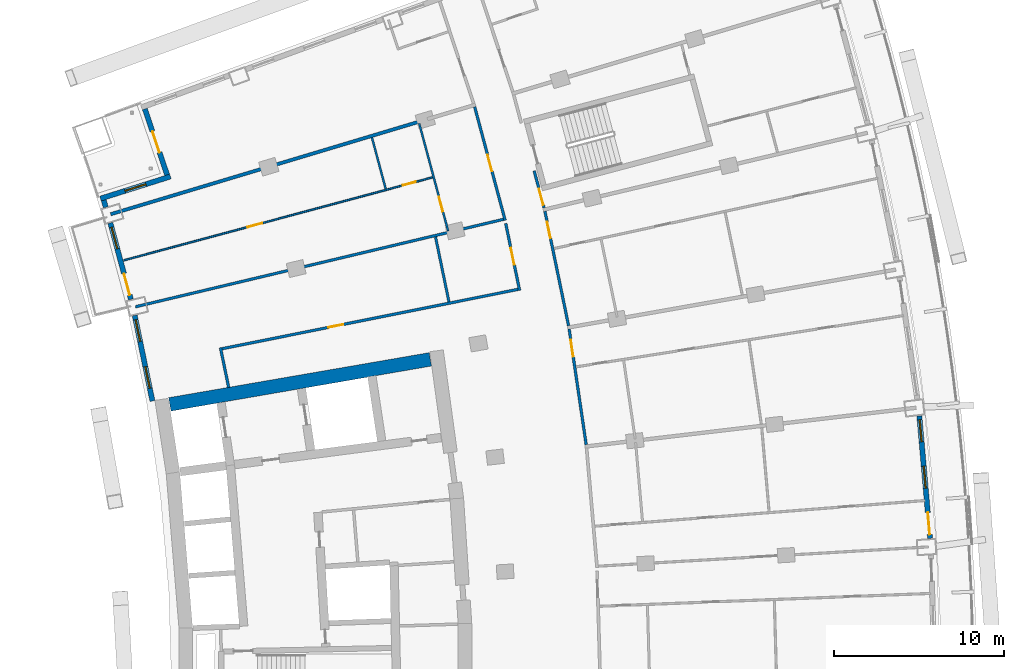
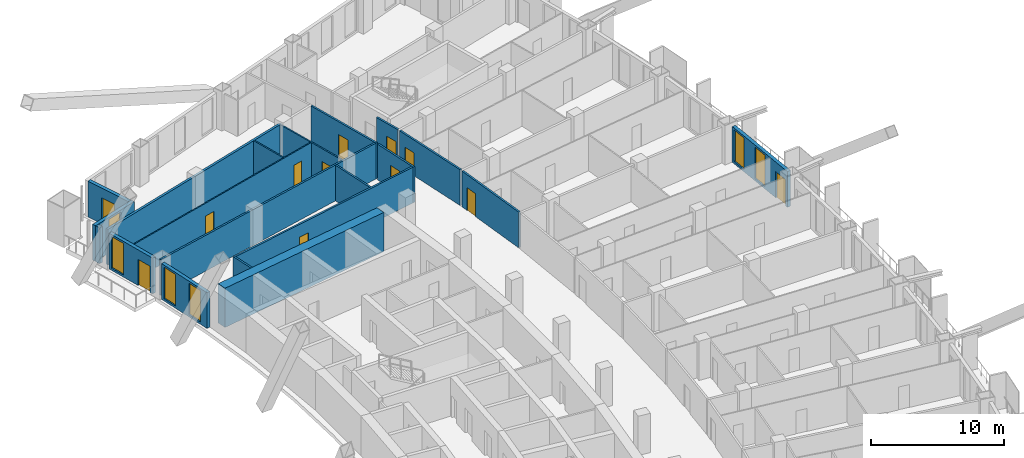
# One storey, part 19 of 25: 20 walls, 12 doors, 6 windows, 18 openings.
"""IFC4 building model written with IfcOpenShell, lengths in metres."""

import ifcopenshell
import ifcopenshell.guid

model = None  # the IFC model being written
_history = None  # IfcOwnerHistory: only IFC2X3 demands one
_inside = {}  # id of a spatial element -> (the spatial element, [elements in it])
_under = {}  # id of a project, library or spatial element -> (it, [spatial elements below it])
_declared = {}  # id of a project -> (the project, [libraries it declares])
_typed = {}  # id of a type object -> (the type object, [elements of that type])
_made_of = {}  # id of a material, layer set ... -> (it, [elements and type objects made of it])


def new_model(schema):
    """Start an empty IFC model of exactly this schema.

    Asked for "IFC4X3", IfcOpenShell would pick the latest addendum, in which some entities
    have other attributes; the version numbers below select the first issue.
    IFC2X3 requires an IfcOwnerHistory on every rooted entity: one is made here for all.
    """
    global model, _history
    if schema == "IFC4X3":
        model = ifcopenshell.file(schema_version=(4, 3, 0, 0))
    else:
        model = ifcopenshell.file(schema=schema)
    _inside.clear()
    _under.clear()
    _declared.clear()
    _typed.clear()
    _made_of.clear()
    _history = None
    if model.schema == "IFC2X3":
        org = make("IfcOrganization", Name="unknown")
        user = make(
            "IfcPersonAndOrganization",
            ThePerson=make("IfcPerson", FamilyName="unknown"),
            TheOrganization=org,
        )
        app = make(
            "IfcApplication",
            ApplicationDeveloper=org,
            Version="unknown",
            ApplicationFullName="unknown",
            ApplicationIdentifier="unknown",
        )
        _history = make(
            "IfcOwnerHistory",
            OwningUser=user,
            OwningApplication=app,
            ChangeAction="ADDED",
            CreationDate=0,
        )
    return model


def make(cls, **values):
    """One entity of the class cls with the attributes given. An attribute that is None is left unset."""
    return model.create_entity(
        cls, **{name: value for name, value in values.items() if value is not None}
    )


def rooted(cls, **values):
    """An entity with a GlobalId (a new one), such as an element, a storey or a relation."""
    return make(cls, GlobalId=ifcopenshell.guid.new(), OwnerHistory=_history, **values)


def si_unit(unit_type, name, prefix=None):
    """IfcSIUnit, for example si_unit("LENGTHUNIT", "METRE", prefix="MILLI")."""
    return make("IfcSIUnit", UnitType=unit_type, Prefix=prefix, Name=name)


def assignment(units):
    """IfcUnitAssignment: the units of a project."""
    return None if units is None else make("IfcUnitAssignment", Units=units)


def point(xyz):
    """IfcCartesianPoint."""
    return None if xyz is None else make("IfcCartesianPoint", Coordinates=xyz)


def direction(xyz):
    """IfcDirection."""
    return None if xyz is None else make("IfcDirection", DirectionRatios=xyz)


def frame(location, z_axis=None, x_axis=None):
    """IfcAxis2Placement3D, a coordinate frame: its origin and axes. An axis left out is left unset."""
    return make(
        "IfcAxis2Placement3D",
        Location=point(location),
        Axis=direction(z_axis),
        RefDirection=direction(x_axis),
    )


def frame_2d(location, x_axis=None):
    """IfcAxis2Placement2D, a coordinate frame in the plane: its origin and x axis."""
    return make(
        "IfcAxis2Placement2D", Location=point(location), RefDirection=direction(x_axis)
    )


def origin():
    """The frame at (0, 0, 0) with its axes left unset."""
    return frame((0.0, 0.0, 0.0))


def place(relative_to, where):
    """IfcLocalPlacement: puts the frame where relative to a parent placement (None: the world)."""
    return make(
        "IfcLocalPlacement", PlacementRelTo=relative_to, RelativePlacement=where
    )


def context(
    kind, dimensions, precision=None, world=None, true_north=None, identifier=None
):
    """IfcGeometricRepresentationContext, for example the 3D "Model" context."""
    return make(
        "IfcGeometricRepresentationContext",
        ContextIdentifier=identifier,
        ContextType=kind,
        CoordinateSpaceDimension=dimensions,
        Precision=precision,
        WorldCoordinateSystem=world,
        TrueNorth=true_north,
    )


def subcontext(parent, identifier, kind, view, scale=None):
    """IfcGeometricRepresentationSubContext, for example "Body" below "Model"."""
    return make(
        "IfcGeometricRepresentationSubContext",
        ContextIdentifier=identifier,
        ContextType=kind,
        ParentContext=parent,
        TargetScale=scale,
        TargetView=view,
    )


def project(units=None, contexts=None):
    """IfcProject with its units and contexts."""
    return rooted(
        "IfcProject",
        Name="project",
        RepresentationContexts=contexts,
        UnitsInContext=assignment(units),
    )


def spatial(cls, under=None, at=None, **own):
    """A site, building, storey or space (cls), placed at a placement, below another one or the project."""
    s = rooted(cls, ObjectPlacement=at, **own)
    if under is not None:
        _under.setdefault(under.id(), (under, []))[1].append(s)
    return s


def profile(cls, at=None, kind="AREA", **sizes):
    """A parametric profile (cls). Its sizes go by their IFC names, for example OverallWidth=200.0."""
    return make(cls, ProfileType=kind, Position=at, **sizes)


def rectangle(**sizes):
    """IfcRectangleProfileDef."""
    return profile("IfcRectangleProfileDef", **sizes)


def extrude(swept, where, along, depth):
    """IfcExtrudedAreaSolid: the profile swept, set in the frame where, extruded along a direction by depth."""
    return make(
        "IfcExtrudedAreaSolid",
        SweptArea=swept,
        Position=where,
        ExtrudedDirection=direction(along),
        Depth=depth,
    )


def shape(context_of_items, identifier, shape_type, items):
    """IfcShapeRepresentation: the items that make up one representation, for example the "Body"."""
    return make(
        "IfcShapeRepresentation",
        ContextOfItems=context_of_items,
        RepresentationIdentifier=identifier,
        RepresentationType=shape_type,
        Items=items,
    )


def material(Name=None, Category=None):
    """IfcMaterial."""
    return make("IfcMaterial", Name=Name, Category=Category)


def layer(
    of_material, thickness, ventilated=None, Name=None, Category=None, Priority=None
):
    """IfcMaterialLayer: one layer of a wall or slab, of a material (None: an air gap)."""
    return make(
        "IfcMaterialLayer",
        Material=of_material,
        LayerThickness=thickness,
        IsVentilated=ventilated,
        Name=Name,
        Category=Category,
        Priority=Priority,
    )


def layer_set(layers, Name=None):
    """IfcMaterialLayerSet."""
    return make("IfcMaterialLayerSet", MaterialLayers=layers, LayerSetName=Name)


def made_of(thing, what):
    """Note that an element or type object is made of a material, layer set ...; save() writes the relation."""
    if what is not None:
        _made_of.setdefault(what.id(), (what, []))[1].append(thing)
    return thing


def type_object(cls, material=None, **own):
    """A type object (cls), such as IfcWallType, which elements share."""
    return made_of(rooted(cls, **own), material)


def element(
    cls,
    number,
    at=None,
    inside=None,
    cuts=None,
    type_object=None,
    material=None,
    context=None,
    identifier="Body",
    shape_type=None,
    held_by="IfcProductDefinitionShape",
    body=None,
    shapes=None,
    **own,
):
    """One element of the class cls, such as IfcWall. Its Tag is "e" and its number.

    at: its placement. inside: the storey or other place that contains it. cuts: it is an
    opening in that element (IfcRelVoidsElement). A single representation is given by context,
    identifier, shape_type and body (its items); several are given by shapes. held_by: the class
    of the entity that holds the representations. save() writes the other relations.
    """
    e = rooted(cls, Tag="e%d" % number, ObjectPlacement=at, **own)
    if body is not None:
        shapes = [shape(context, identifier, shape_type, body)]
    if shapes is not None:
        e.Representation = make(held_by, Representations=shapes)
    if inside is not None:
        _inside.setdefault(inside.id(), (inside, []))[1].append(e)
    if cuts is not None:
        rooted(
            "IfcRelVoidsElement", RelatingBuildingElement=cuts, RelatedOpeningElement=e
        )
    if type_object is not None:
        _typed.setdefault(type_object.id(), (type_object, []))[1].append(e)
    return made_of(e, material)


def fill(opening, filler):
    """IfcRelFillsElement: the door or window that sits in an opening."""
    return rooted(
        "IfcRelFillsElement",
        RelatingOpeningElement=opening,
        RelatedBuildingElement=filler,
    )


def aggregate(whole, parts):
    """IfcRelAggregates: a whole, such as a stair, and the parts it consists of."""
    return rooted("IfcRelAggregates", RelatingObject=whole, RelatedObjects=parts)


def save(model, path):
    """Write the relations noted so far, then the file.

    IfcRelAggregates (storeys below a building ...), IfcRelContainedInSpatialStructure (elements
    in a storey), IfcRelDefinesByType, IfcRelAssociatesMaterial and IfcRelDeclares: one each for
    every whole, place, type object, material and project.
    """
    for whole, parts in _under.values():
        aggregate(whole, parts)
    for where, things in _inside.values():
        rooted(
            "IfcRelContainedInSpatialStructure",
            RelatedElements=things,
            RelatingStructure=where,
        )
    for kind, things in _typed.values():
        rooted("IfcRelDefinesByType", RelatedObjects=things, RelatingType=kind)
    for what, things in _made_of.values():
        rooted("IfcRelAssociatesMaterial", RelatedObjects=things, RelatingMaterial=what)
    for by, libraries in _declared.values():
        rooted("IfcRelDeclares", RelatingContext=by, RelatedDefinitions=libraries)
    model.write(path)


model = new_model("IFC4")

# Units and contexts
model_context = context("Model", 3, precision=1e-05, world=origin(), true_north=direction((0.0, 1.0)))
body_context = subcontext(model_context, "Body", "Model", "MODEL_VIEW")
ifc_project = project(units=[si_unit("LENGTHUNIT", "METRE"), si_unit("AREAUNIT", "SQUARE_METRE"), si_unit("VOLUMEUNIT", "CUBIC_METRE"), si_unit("PLANEANGLEUNIT", "RADIAN"), si_unit("MASSUNIT", "GRAM", prefix="KILO")], contexts=[model_context])

# Site, building, storey
site_placement = place(None, origin())
site = spatial("IfcSite", under=ifc_project, at=site_placement, CompositionType="ELEMENT")
building_placement = place(site_placement, origin())
building = spatial("IfcBuilding", under=site, at=building_placement, Name="Alderwake Tower", CompositionType="ELEMENT")
storey_placement = place(building_placement, frame((0.0, 0.0, 114.800048828125)))
storey = spatial("IfcBuildingStorey", under=building, at=storey_placement, Name="L28", CompositionType="ELEMENT", Elevation=114.800048828125)

# Walls
ifc_material_1 = material(Name="Concrete C70/85", Category="concrete")
ifc_layer_1 = layer(ifc_material_1, 0.800048828125)
ifc_layer_set_1 = layer_set([ifc_layer_1], Name="Core wall outer 800 C70-85")
wall_type_1 = type_object("IfcWallType", Name="Core wall outer 800 C70-85", PredefinedType="SHEAR", material=ifc_layer_set_1)
wall_1_placement = place(storey_placement, frame((15.900146484375, 77.577880859375, 0.0), z_axis=(0.0, 0.0, 1.0), x_axis=(0.985386601125, 0.170332751763, 0.0)))
element("IfcWall", 1, at=wall_1_placement, inside=storey, type_object=wall_type_1, Name="Core wall CW.054", PredefinedType="SHEAR", context=body_context, shape_type="SweptSolid", body=[
    extrude(rectangle(XDim=15.531494140625, YDim=0.800048828125, at=frame_2d((7.765625, 0.0))), origin(), (0.0, 0.0, 1.0), 3.599853515625),
])
ifc_material_2 = material(Name="Gypsum board on metal studs, rated")
ifc_layer_2 = layer(ifc_material_2, 0.159912109375)
ifc_layer_set_2 = layer_set([ifc_layer_2], Name="Corridor wall 160")
wall_type_2 = type_object("IfcWallType", Name="Corridor wall 160", PredefinedType="PARTITIONING", material=ifc_layer_set_2)
wall_2_placement = place(storey_placement, frame((18.874755859375, 80.910400390625, 0.0), z_axis=(0.0, 0.0, 1.0), x_axis=(0.202312089075, -0.979321100873, 0.0)))
element("IfcWall", 2, at=wall_2_placement, inside=storey, type_object=wall_type_2, Name="WL/L28/W18", PredefinedType="PARTITIONING", context=body_context, shape_type="SweptSolid", body=[
    extrude(rectangle(XDim=2.39306640625, YDim=0.159912109375, at=frame_2d((1.196533203125, 0.0))), origin(), (0.0, 0.0, 1.0), 3.280029296875),
])

# Wall, opening, door
wall_3_placement = place(storey_placement, frame((35.600830078125, 88.392578125, 0.0), z_axis=(0.0, 0.0, 1.0), x_axis=(-0.2593979597, 0.965770520622, 0.0)))
wall_3 = element("IfcWall", 3, at=wall_3_placement, inside=storey, type_object=wall_type_2, Name="WL/L28/W22", PredefinedType="PARTITIONING", context=body_context, shape_type="SweptSolid", body=[
    extrude(rectangle(XDim=6.9072265625, YDim=0.159912109375, at=frame_2d((3.45361328125, 0.0))), origin(), (0.0, 0.0, 1.0), 3.280029296875),
])
opening_1_placement = place(wall_3_placement, frame((2.9931640625, 0.0, 0.0)))
opening_1 = element("IfcOpeningElement", 4, at=opening_1_placement, cuts=wall_3, Name="Opening R08-U13.1", PredefinedType="OPENING", context=body_context, shape_type="SweptSolid", body=[
    extrude(rectangle(XDim=1.0, YDim=2.10009765625, at=frame_2d((0.5, 1.050048828125))), frame((0.0, 0.08984375, 0.0), z_axis=(0.0, -1.0, 0.0), x_axis=(1.0, 0.0, 0.0)), (0.0, 0.0, 1.0), 0.179931640625),
])
ifc_material_3 = material(Name="Solid timber leaf in steel frame", Category="steel")
door_type_1 = type_object("IfcDoorType", Name="Flat entrance door 1000 fire-rated", OperationType="SINGLE_SWING_LEFT", PredefinedType="DOOR", material=ifc_material_3)
door_1_placement = place(opening_1_placement, origin())
door_1 = element("IfcDoor", 5, at=door_1_placement, inside=storey, type_object=door_type_1, Name="DR/L28/U13.1", OperationType="SINGLE_SWING_LEFT", OverallHeight=2.10009765625, OverallWidth=1.0, PredefinedType="DOOR", context=body_context, shape_type="SweptSolid", body=[
    extrude(rectangle(XDim=1.0, YDim=2.10009765625, at=frame_2d((0.5, 1.050048828125))), frame((0.0, 0.02490234375, 0.0), z_axis=(0.0, -1.0, 0.0), x_axis=(1.0, 0.0, 0.0)), (0.0, 0.0, 1.0), 0.050048828125),
])
fill(opening_1, door_1)

# Wall
wall_4_placement = place(storey_placement, frame((35.502197265625, 88.451416015625, 0.0), z_axis=(0.0, 0.0, 1.0), x_axis=(-0.972894913244, -0.231247676278, 0.0)))
element("IfcWall", 6, at=wall_4_placement, inside=storey, type_object=wall_type_2, Name="WL/L28/W25", PredefinedType="PARTITIONING", context=body_context, shape_type="SweptSolid", body=[
    extrude(rectangle(XDim=22.220458984375, YDim=0.159912109375, at=frame_2d((11.1103515625, 0.0))), origin(), (0.0, 0.0, 1.0), 3.280029296875),
])

# Wall, opening, door
wall_5_placement = place(storey_placement, frame((36.451416015625, 84.272705078125, 0.0), z_axis=(0.0, 0.0, 1.0), x_axis=(-0.203258199701, 0.979125172924, 0.0)))
wall_5 = element("IfcWall", 7, at=wall_5_placement, inside=storey, type_object=wall_type_2, Name="WL/L28/W26", PredefinedType="PARTITIONING", context=body_context, shape_type="SweptSolid", body=[
    extrude(rectangle(XDim=4.020263671875, YDim=0.159912109375, at=frame_2d((2.01025390625, 0.0))), origin(), (0.0, 0.0, 1.0), 3.280029296875),
])
opening_2_placement = place(wall_5_placement, frame((1.549560546875, 0.0, 0.0)))
opening_2 = element("IfcOpeningElement", 8, at=opening_2_placement, cuts=wall_5, Name="Opening R08-SBN2", PredefinedType="OPENING", context=body_context, shape_type="SweptSolid", body=[
    extrude(rectangle(XDim=1.0, YDim=2.10009765625, at=frame_2d((0.5, 1.050048828125))), frame((0.0, 0.08984375, 0.0), z_axis=(0.0, -1.0, 0.0), x_axis=(1.0, 0.0, 0.0)), (0.0, 0.0, 1.0), 0.179931640625),
])
ifc_material_4 = material(Name="Steel-framed fire door leaf", Category="steel")
door_type_2 = type_object("IfcDoorType", Name="Plant room door 1000 fire-rated", OperationType="SINGLE_SWING_LEFT", PredefinedType="DOOR", material=ifc_material_4)
door_2_placement = place(opening_2_placement, origin())
door_2 = element("IfcDoor", 9, at=door_2_placement, inside=storey, type_object=door_type_2, Name="DR/L28/SBN2", OperationType="SINGLE_SWING_LEFT", OverallHeight=2.10009765625, OverallWidth=1.0, PredefinedType="DOOR", context=body_context, shape_type="SweptSolid", body=[
    extrude(rectangle(XDim=1.0, YDim=2.10009765625, at=frame_2d((0.5, 1.050048828125))), frame((0.0, 0.02490234375, 0.0), z_axis=(0.0, -1.0, 0.0), x_axis=(1.0, 0.0, 0.0)), (0.0, 0.0, 1.0), 0.050048828125),
])
fill(opening_2, door_2)

wall_6_placement = place(storey_placement, frame((18.969482421875, 80.84765625, 0.0), z_axis=(0.0, 0.0, 1.0), x_axis=(0.980470914622, 0.196664144112, 0.0)))
wall_6 = element("IfcWall", 10, at=wall_6_placement, inside=storey, type_object=wall_type_2, Name="WL/L28/W30", PredefinedType="PARTITIONING", context=body_context, shape_type="SweptSolid", body=[
    extrude(rectangle(XDim=17.733642578125, YDim=0.159912109375, at=frame_2d((8.86669921875, 0.0))), origin(), (0.0, 0.0, 1.0), 3.280029296875),
])
opening_3_placement = place(wall_6_placement, frame((6.35693359375, 0.0, 0.0)))
opening_3 = element("IfcOpeningElement", 11, at=opening_3_placement, cuts=wall_6, Name="Opening R08-SBN1", PredefinedType="OPENING", context=body_context, shape_type="SweptSolid", body=[
    extrude(rectangle(XDim=0.89990234375, YDim=2.10009765625, at=frame_2d((0.449951171875, 1.050048828125))), frame((0.0, 0.08984375, 0.0), z_axis=(0.0, -1.0, 0.0), x_axis=(1.0, 0.0, 0.0)), (0.0, 0.0, 1.0), 0.179931640625),
])
ifc_material_5 = material(Name="Painted timber leaf", Category="wood")
door_type_3 = type_object("IfcDoorType", Name="Room door 900", OperationType="SINGLE_SWING_LEFT", PredefinedType="DOOR", material=ifc_material_5)
door_3_placement = place(opening_3_placement, origin())
door_3 = element("IfcDoor", 12, at=door_3_placement, inside=storey, type_object=door_type_3, Name="DR/L28/SBN1", OperationType="SINGLE_SWING_LEFT", OverallHeight=2.10009765625, OverallWidth=0.89990234375, PredefinedType="DOOR", context=body_context, shape_type="SweptSolid", body=[
    extrude(rectangle(XDim=0.89990234375, YDim=2.10009765625, at=frame_2d((0.449951171875, 1.050048828125))), frame((0.0, 0.02490234375, 0.0), z_axis=(0.0, -1.0, 0.0), x_axis=(1.0, 0.0, 0.0)), (0.0, 0.0, 1.0), 0.050048828125),
])
fill(opening_3, door_3)

wall_7_placement = place(storey_placement, frame((37.304931640625, 91.299072265625, 0.0), z_axis=(0.0, 0.0, 1.0), x_axis=(0.259946294884, -0.965623075416, 0.0)))
wall_7 = element("IfcWall", 13, at=wall_7_placement, inside=storey, type_object=wall_type_2, Name="WL/L28/W34", PredefinedType="PARTITIONING", context=body_context, shape_type="SweptSolid", body=[
    extrude(rectangle(XDim=2.255126953125, YDim=0.159912109375, at=frame_2d((1.12744140625, 0.0))), origin(), (0.0, 0.0, 1.0), 3.280029296875),
])
opening_4_placement = place(wall_7_placement, frame((1.083984375, 0.0, 0.0)))
opening_4 = element("IfcOpeningElement", 14, at=opening_4_placement, cuts=wall_7, Name="Opening R08-U02.1", PredefinedType="OPENING", context=body_context, shape_type="SweptSolid", body=[
    extrude(rectangle(XDim=1.0, YDim=2.10009765625, at=frame_2d((0.5, 1.050048828125))), frame((0.0, 0.08984375, 0.0), z_axis=(0.0, -1.0, 0.0), x_axis=(1.0, 0.0, 0.0)), (0.0, 0.0, 1.0), 0.179931640625),
])
door_4_placement = place(opening_4_placement, origin())
door_4 = element("IfcDoor", 15, at=door_4_placement, inside=storey, type_object=door_type_1, Name="DR/L28/U02.1", OperationType="SINGLE_SWING_LEFT", OverallHeight=2.10009765625, OverallWidth=1.0, PredefinedType="DOOR", context=body_context, shape_type="SweptSolid", body=[
    extrude(rectangle(XDim=1.0, YDim=2.10009765625, at=frame_2d((0.5, 1.050048828125))), frame((0.0, 0.02490234375, 0.0), z_axis=(0.0, -1.0, 0.0), x_axis=(1.0, 0.0, 0.0)), (0.0, 0.0, 1.0), 0.050048828125),
])
fill(opening_4, door_4)

wall_8_placement = place(storey_placement, frame((37.937255859375, 88.927001953125, 0.0), z_axis=(0.0, 0.0, 1.0), x_axis=(0.20241288737, -0.979300272147, 0.0)))
wall_8 = element("IfcWall", 16, at=wall_8_placement, inside=storey, type_object=wall_type_2, Name="WL/L28/W36", PredefinedType="PARTITIONING", context=body_context, shape_type="SweptSolid", body=[
    extrude(rectangle(XDim=6.870361328125, YDim=0.159912109375, at=frame_2d((3.43505859375, 0.0))), origin(), (0.0, 0.0, 1.0), 3.280029296875),
])
opening_5_placement = place(wall_8_placement, frame((0.62841796875, 0.0, 0.0)))
opening_5 = element("IfcOpeningElement", 17, at=opening_5_placement, cuts=wall_8, Name="Opening R08-U10.2", PredefinedType="OPENING", context=body_context, shape_type="SweptSolid", body=[
    extrude(rectangle(XDim=1.0, YDim=2.10009765625, at=frame_2d((0.5, 1.050048828125))), frame((0.0, 0.08984375, 0.0), z_axis=(0.0, -1.0, 0.0), x_axis=(1.0, 0.0, 0.0)), (0.0, 0.0, 1.0), 0.179931640625),
])
door_5_placement = place(opening_5_placement, origin())
door_5 = element("IfcDoor", 18, at=door_5_placement, inside=storey, type_object=door_type_1, Name="DR/L28/U10.2", OperationType="SINGLE_SWING_LEFT", OverallHeight=2.10009765625, OverallWidth=1.0, PredefinedType="DOOR", context=body_context, shape_type="SweptSolid", body=[
    extrude(rectangle(XDim=1.0, YDim=2.10009765625, at=frame_2d((0.5, 1.050048828125))), frame((0.0, 0.02490234375, 0.0), z_axis=(0.0, -1.0, 0.0), x_axis=(1.0, 0.0, 0.0)), (0.0, 0.0, 1.0), 0.050048828125),
])
fill(opening_5, door_5)

wall_9_placement = place(storey_placement, frame((39.362548828125, 82.001953125, 0.0), z_axis=(0.0, 0.0, 1.0), x_axis=(0.145565626222, -0.98934859805, 0.0)))
wall_9 = element("IfcWall", 19, at=wall_9_placement, inside=storey, type_object=wall_type_2, Name="WL/L28/W38", PredefinedType="PARTITIONING", context=body_context, shape_type="SweptSolid", body=[
    extrude(rectangle(XDim=6.8681640625, YDim=0.159912109375, at=frame_2d((3.43408203125, 0.0))), origin(), (0.0, 0.0, 1.0), 3.280029296875),
])
opening_6_placement = place(wall_9_placement, frame((0.627685546875, 0.0, 0.0)))
opening_6 = element("IfcOpeningElement", 20, at=opening_6_placement, cuts=wall_9, Name="Opening R08-U09.2", PredefinedType="OPENING", context=body_context, shape_type="SweptSolid", body=[
    extrude(rectangle(XDim=1.0, YDim=2.10009765625, at=frame_2d((0.5, 1.050048828125))), frame((0.0, 0.08984375, 0.0), z_axis=(0.0, -1.0, 0.0), x_axis=(1.0, 0.0, 0.0)), (0.0, 0.0, 1.0), 0.179931640625),
])
door_6_placement = place(opening_6_placement, origin())
door_6 = element("IfcDoor", 21, at=door_6_placement, inside=storey, type_object=door_type_1, Name="DR/L28/U09.2", OperationType="SINGLE_SWING_LEFT", OverallHeight=2.10009765625, OverallWidth=1.0, PredefinedType="DOOR", context=body_context, shape_type="SweptSolid", body=[
    extrude(rectangle(XDim=1.0, YDim=2.10009765625, at=frame_2d((0.5, 1.050048828125))), frame((0.0, 0.02490234375, 0.0), z_axis=(0.0, -1.0, 0.0), x_axis=(1.0, 0.0, 0.0)), (0.0, 0.0, 1.0), 0.050048828125),
])
fill(opening_6, door_6)

# Wall, openings, door, windows
ifc_material_6 = material(Name="Precast concrete C50/60 spandrel panel", Category="concrete")
ifc_layer_3 = layer(ifc_material_6, 0.300048828125)
ifc_layer_set_3 = layer_set([ifc_layer_3], Name="External wall EW1 Precast concrete C50/60 spandrel")
wall_type_3 = type_object("IfcWallType", Name="External wall EW1 Precast concrete C50/60 spandrel", PredefinedType="SOLIDWALL", material=ifc_layer_set_3)
wall_10_placement = place(storey_placement, frame((60.56689453125, 69.70849609375, 0.0), z_axis=(0.0, 0.0, 1.0), x_axis=(-0.087409071473, 0.996172502243, 0.0)))
wall_10 = element("IfcWall", 22, at=wall_10_placement, inside=storey, type_object=wall_type_3, Name="External wall 18", PredefinedType="SOLIDWALL", context=body_context, shape_type="SweptSolid", body=[
    extrude(rectangle(XDim=7.21728515625, YDim=0.300048828125, at=frame_2d((3.608642578125, 0.0))), origin(), (0.0, 0.0, 1.0), 3.280029296875),
])
opening_7_placement = place(wall_10_placement, frame((0.22509765625, 0.0, 0.0)))
opening_7 = element("IfcOpeningElement", 23, at=opening_7_placement, cuts=wall_10, Name="Opening D09", PredefinedType="OPENING", context=body_context, shape_type="SweptSolid", body=[
    extrude(rectangle(XDim=1.300048828125, YDim=2.39990234375, at=frame_2d((0.64990234375, 1.199951171875))), frame((0.0, 0.159912109375, 0.0), z_axis=(0.0, -1.0, 0.0), x_axis=(1.0, 0.0, 0.0)), (0.0, 0.0, 1.0), 0.320068359375),
])
opening_8_placement = place(wall_10_placement, frame((2.958740234375, 0.0, 0.199951171875)))
opening_8 = element("IfcOpeningElement", 24, at=opening_8_placement, cuts=wall_10, Name="Opening W1", PredefinedType="OPENING", context=body_context, shape_type="SweptSolid", body=[
    extrude(rectangle(XDim=1.300048828125, YDim=2.89990234375, at=frame_2d((0.64990234375, 1.449951171875))), frame((0.0, 0.159912109375, 0.0), z_axis=(0.0, -1.0, 0.0), x_axis=(1.0, 0.0, 0.0)), (0.0, 0.0, 1.0), 0.320068359375),
])
opening_9_placement = place(wall_10_placement, frame((5.692138671875, 0.0, 0.199951171875)))
opening_9 = element("IfcOpeningElement", 25, at=opening_9_placement, cuts=wall_10, Name="Opening W1", PredefinedType="OPENING", context=body_context, shape_type="SweptSolid", body=[
    extrude(rectangle(XDim=1.300048828125, YDim=2.89990234375, at=frame_2d((0.64990234375, 1.449951171875))), frame((0.0, 0.159912109375, 0.0), z_axis=(0.0, -1.0, 0.0), x_axis=(1.0, 0.0, 0.0)), (0.0, 0.0, 1.0), 0.320068359375),
])
ifc_material_7 = material(Name="Bronze tinted glass in aluminium frame", Category="aluminium")
door_type_4 = type_object("IfcDoorType", Name="Balcony door BD sliding", OperationType="SLIDING_TO_LEFT", PredefinedType="DOOR", material=ifc_material_7)
door_7_placement = place(opening_7_placement, origin())
door_7 = element("IfcDoor", 26, at=door_7_placement, inside=storey, type_object=door_type_4, Name="Door D09", OperationType="SLIDING_TO_LEFT", OverallHeight=2.39990234375, OverallWidth=1.300048828125, PredefinedType="DOOR", context=body_context, shape_type="SweptSolid", body=[
    extrude(rectangle(XDim=1.300048828125, YDim=2.39990234375, at=frame_2d((0.64990234375, 1.199951171875))), frame((0.0, 0.02490234375, 0.0), z_axis=(0.0, -1.0, 0.0), x_axis=(1.0, 0.0, 0.0)), (0.0, 0.0, 1.0), 0.050048828125),
])
fill(opening_7, door_7)
ifc_material_8 = material(Name="Bronze tinted glass in aluminium frame", Category="aluminium")
window_type = type_object("IfcWindowType", Name="Window W1 tall fixed and vent", PartitioningType="DOUBLE_PANEL_VERTICAL", PredefinedType="WINDOW", material=ifc_material_8)
window_1_placement = place(opening_8_placement, origin())
window_1 = element("IfcWindow", 27, at=window_1_placement, inside=storey, type_object=window_type, Name="Window W1 tall fixed and vent", OverallHeight=2.89990234375, OverallWidth=1.300048828125, PartitioningType="DOUBLE_PANEL_VERTICAL", PredefinedType="WINDOW", context=body_context, shape_type="SweptSolid", body=[
    extrude(rectangle(XDim=1.300048828125, YDim=2.89990234375, at=frame_2d((0.64990234375, 1.449951171875))), frame((0.0, 0.030029296875, 0.0), z_axis=(0.0, -1.0, 0.0), x_axis=(1.0, 0.0, 0.0)), (0.0, 0.0, 1.0), 0.06005859375),
])
fill(opening_8, window_1)
window_2_placement = place(opening_9_placement, origin())
window_2 = element("IfcWindow", 28, at=window_2_placement, inside=storey, type_object=window_type, Name="Window W1 tall fixed and vent", OverallHeight=2.89990234375, OverallWidth=1.300048828125, PartitioningType="DOUBLE_PANEL_VERTICAL", PredefinedType="WINDOW", context=body_context, shape_type="SweptSolid", body=[
    extrude(rectangle(XDim=1.300048828125, YDim=2.89990234375, at=frame_2d((0.64990234375, 1.449951171875))), frame((0.0, 0.030029296875, 0.0), z_axis=(0.0, -1.0, 0.0), x_axis=(1.0, 0.0, 0.0)), (0.0, 0.0, 1.0), 0.06005859375),
])
fill(opening_9, window_2)

# Wall
wall_11_placement = place(storey_placement, frame((12.01416015625, 89.5703125, 0.0), z_axis=(0.0, 0.0, 1.0), x_axis=(0.294567190983, -0.955630770746, 0.0)))
element("IfcWall", 29, at=wall_11_placement, inside=storey, type_object=wall_type_3, Name="External wall 32", PredefinedType="SOLIDWALL", context=body_context, shape_type="SweptSolid", body=[
    extrude(rectangle(XDim=0.427734375, YDim=0.300048828125, at=frame_2d((0.2138671875, 0.0))), origin(), (0.0, 0.0, 1.0), 3.280029296875),
])

# Wall, openings, door, window
wall_12_placement = place(storey_placement, frame((12.406494140625, 88.237548828125, 0.0), z_axis=(0.0, 0.0, 1.0), x_axis=(0.259468933642, -0.965751454814, 0.0)))
wall_12 = element("IfcWall", 30, at=wall_12_placement, inside=storey, type_object=wall_type_3, Name="External wall 33", PredefinedType="SOLIDWALL", context=body_context, shape_type="SweptSolid", body=[
    extrude(rectangle(XDim=4.65087890625, YDim=0.300048828125, at=frame_2d((2.325439453125, 0.0))), origin(), (0.0, 0.0, 1.0), 3.280029296875),
])
opening_10_placement = place(wall_12_placement, frame((0.26708984375, 0.0, 0.199951171875)))
opening_10 = element("IfcOpeningElement", 31, at=opening_10_placement, cuts=wall_12, Name="Opening W1", PredefinedType="OPENING", context=body_context, shape_type="SweptSolid", body=[
    extrude(rectangle(XDim=1.300048828125, YDim=2.89990234375, at=frame_2d((0.64990234375, 1.449951171875))), frame((0.0, 0.159912109375, 0.0), z_axis=(0.0, -1.0, 0.0), x_axis=(1.0, 0.0, 0.0)), (0.0, 0.0, 1.0), 0.320068359375),
])
opening_11_placement = place(wall_12_placement, frame((3.083984375, 0.0, 0.0)))
opening_11 = element("IfcOpeningElement", 32, at=opening_11_placement, cuts=wall_12, Name="Opening D15", PredefinedType="OPENING", context=body_context, shape_type="SweptSolid", body=[
    extrude(rectangle(XDim=1.300048828125, YDim=2.39990234375, at=frame_2d((0.64990234375, 1.199951171875))), frame((0.0, 0.159912109375, 0.0), z_axis=(0.0, -1.0, 0.0), x_axis=(1.0, 0.0, 0.0)), (0.0, 0.0, 1.0), 0.320068359375),
])
door_8_placement = place(opening_11_placement, origin())
door_8 = element("IfcDoor", 33, at=door_8_placement, inside=storey, type_object=door_type_4, Name="Door D15", OperationType="SLIDING_TO_LEFT", OverallHeight=2.39990234375, OverallWidth=1.300048828125, PredefinedType="DOOR", context=body_context, shape_type="SweptSolid", body=[
    extrude(rectangle(XDim=1.300048828125, YDim=2.39990234375, at=frame_2d((0.64990234375, 1.199951171875))), frame((0.0, 0.02490234375, 0.0), z_axis=(0.0, -1.0, 0.0), x_axis=(1.0, 0.0, 0.0)), (0.0, 0.0, 1.0), 0.050048828125),
])
fill(opening_11, door_8)
window_3_placement = place(opening_10_placement, origin())
window_3 = element("IfcWindow", 34, at=window_3_placement, inside=storey, type_object=window_type, Name="Window W1 tall fixed and vent", OverallHeight=2.89990234375, OverallWidth=1.300048828125, PartitioningType="DOUBLE_PANEL_VERTICAL", PredefinedType="WINDOW", context=body_context, shape_type="SweptSolid", body=[
    extrude(rectangle(XDim=1.300048828125, YDim=2.89990234375, at=frame_2d((0.64990234375, 1.449951171875))), frame((0.0, 0.030029296875, 0.0), z_axis=(0.0, -1.0, 0.0), x_axis=(1.0, 0.0, 0.0)), (0.0, 0.0, 1.0), 0.06005859375),
])
fill(opening_10, window_3)

# Wall, openings, windows
wall_13_placement = place(storey_placement, frame((13.83740234375, 82.803955078125, 0.0), z_axis=(0.0, 0.0, 1.0), x_axis=(0.202723539143, -0.979236011734, 0.0)))
wall_13 = element("IfcWall", 35, at=wall_13_placement, inside=storey, type_object=wall_type_3, Name="External wall 34", PredefinedType="SOLIDWALL", context=body_context, shape_type="SweptSolid", body=[
    extrude(rectangle(XDim=5.134033203125, YDim=0.300048828125, at=frame_2d((2.56689453125, 0.0))), origin(), (0.0, 0.0, 1.0), 3.280029296875),
])
opening_12_placement = place(wall_13_placement, frame((0.264892578125, 0.0, 0.199951171875)))
opening_12 = element("IfcOpeningElement", 36, at=opening_12_placement, cuts=wall_13, Name="Opening W1", PredefinedType="OPENING", context=body_context, shape_type="SweptSolid", body=[
    extrude(rectangle(XDim=1.300048828125, YDim=2.89990234375, at=frame_2d((0.64990234375, 1.449951171875))), frame((0.0, 0.159912109375, 0.0), z_axis=(0.0, -1.0, 0.0), x_axis=(1.0, 0.0, 0.0)), (0.0, 0.0, 1.0), 0.320068359375),
])
opening_13_placement = place(wall_13_placement, frame((3.077392578125, 0.0, 0.199951171875)))
opening_13 = element("IfcOpeningElement", 37, at=opening_13_placement, cuts=wall_13, Name="Opening W1", PredefinedType="OPENING", context=body_context, shape_type="SweptSolid", body=[
    extrude(rectangle(XDim=1.300048828125, YDim=2.89990234375, at=frame_2d((0.64990234375, 1.449951171875))), frame((0.0, 0.159912109375, 0.0), z_axis=(0.0, -1.0, 0.0), x_axis=(1.0, 0.0, 0.0)), (0.0, 0.0, 1.0), 0.320068359375),
])
window_4_placement = place(opening_12_placement, origin())
window_4 = element("IfcWindow", 38, at=window_4_placement, inside=storey, type_object=window_type, Name="Window W1 tall fixed and vent", OverallHeight=2.89990234375, OverallWidth=1.300048828125, PartitioningType="DOUBLE_PANEL_VERTICAL", PredefinedType="WINDOW", context=body_context, shape_type="SweptSolid", body=[
    extrude(rectangle(XDim=1.300048828125, YDim=2.89990234375, at=frame_2d((0.64990234375, 1.449951171875))), frame((0.0, 0.030029296875, 0.0), z_axis=(0.0, -1.0, 0.0), x_axis=(1.0, 0.0, 0.0)), (0.0, 0.0, 1.0), 0.06005859375),
])
fill(opening_12, window_4)
window_5_placement = place(opening_13_placement, origin())
window_5 = element("IfcWindow", 39, at=window_5_placement, inside=storey, type_object=window_type, Name="Window W1 tall fixed and vent", OverallHeight=2.89990234375, OverallWidth=1.300048828125, PartitioningType="DOUBLE_PANEL_VERTICAL", PredefinedType="WINDOW", context=body_context, shape_type="SweptSolid", body=[
    extrude(rectangle(XDim=1.300048828125, YDim=2.89990234375, at=frame_2d((0.64990234375, 1.449951171875))), frame((0.0, 0.030029296875, 0.0), z_axis=(0.0, -1.0, 0.0), x_axis=(1.0, 0.0, 0.0)), (0.0, 0.0, 1.0), 0.06005859375),
])
fill(opening_13, window_5)

# Wall, opening, door
ifc_material_9 = material(Name="Bronze metal cladding on lightweight framing")
ifc_layer_4 = layer(ifc_material_9, 0.300048828125)
ifc_layer_set_4 = layer_set([ifc_layer_4], Name="External wall EW2 bronze metal cladding")
wall_type_4 = type_object("IfcWallType", Name="External wall EW2 bronze metal cladding", PredefinedType="SOLIDWALL", material=ifc_layer_set_4)
wall_14_placement = place(storey_placement, frame((14.430908203125, 94.937744140625, 0.0), z_axis=(0.0, 0.0, 1.0), x_axis=(0.320379458656, -0.947289291859, 0.0)))
wall_14 = element("IfcWall", 40, at=wall_14_placement, inside=storey, type_object=wall_type_4, Name="External wall 30", PredefinedType="SOLIDWALL", context=body_context, shape_type="SweptSolid", body=[
    extrude(rectangle(XDim=4.08984375, YDim=0.300048828125, at=frame_2d((2.044921875, 0.0))), origin(), (0.0, 0.0, 1.0), 3.280029296875),
])
opening_14_placement = place(wall_14_placement, frame((1.39501953125, 0.0, 0.0)))
opening_14 = element("IfcOpeningElement", 41, at=opening_14_placement, cuts=wall_14, Name="Opening D14", PredefinedType="OPENING", context=body_context, shape_type="SweptSolid", body=[
    extrude(rectangle(XDim=1.300048828125, YDim=2.39990234375, at=frame_2d((0.64990234375, 1.199951171875))), frame((0.0, 0.159912109375, 0.0), z_axis=(0.0, -1.0, 0.0), x_axis=(1.0, 0.0, 0.0)), (0.0, 0.0, 1.0), 0.320068359375),
])
door_9_placement = place(opening_14_placement, origin())
door_9 = element("IfcDoor", 42, at=door_9_placement, inside=storey, type_object=door_type_4, Name="Door D14", OperationType="SLIDING_TO_LEFT", OverallHeight=2.39990234375, OverallWidth=1.300048828125, PredefinedType="DOOR", context=body_context, shape_type="SweptSolid", body=[
    extrude(rectangle(XDim=1.300048828125, YDim=2.39990234375, at=frame_2d((0.64990234375, 1.199951171875))), frame((0.0, 0.02490234375, 0.0), z_axis=(0.0, -1.0, 0.0), x_axis=(1.0, 0.0, 0.0)), (0.0, 0.0, 1.0), 0.050048828125),
])
fill(opening_14, door_9)

# Wall, opening, window
wall_15_placement = place(storey_placement, frame((15.932373046875, 90.966552734375, 0.0), z_axis=(0.0, 0.0, 1.0), x_axis=(-0.953473772386, -0.301475978103, 0.0)))
wall_15 = element("IfcWall", 43, at=wall_15_placement, inside=storey, type_object=wall_type_4, Name="External wall 31", PredefinedType="SOLIDWALL", context=body_context, shape_type="SweptSolid", body=[
    extrude(rectangle(XDim=4.305908203125, YDim=0.300048828125, at=frame_2d((2.15283203125, 0.0))), origin(), (0.0, 0.0, 1.0), 3.280029296875),
])
opening_15_placement = place(wall_15_placement, frame((1.5029296875, 0.0, 0.199951171875)))
opening_15 = element("IfcOpeningElement", 44, at=opening_15_placement, cuts=wall_15, Name="Opening W1", PredefinedType="OPENING", context=body_context, shape_type="SweptSolid", body=[
    extrude(rectangle(XDim=1.300048828125, YDim=2.89990234375, at=frame_2d((0.64990234375, 1.449951171875))), frame((0.0, 0.159912109375, 0.0), z_axis=(0.0, -1.0, 0.0), x_axis=(1.0, 0.0, 0.0)), (0.0, 0.0, 1.0), 0.320068359375),
])
window_6_placement = place(opening_15_placement, origin())
window_6 = element("IfcWindow", 45, at=window_6_placement, inside=storey, type_object=window_type, Name="Window W1 tall fixed and vent", OverallHeight=2.89990234375, OverallWidth=1.300048828125, PartitioningType="DOUBLE_PANEL_VERTICAL", PredefinedType="WINDOW", context=body_context, shape_type="SweptSolid", body=[
    extrude(rectangle(XDim=1.300048828125, YDim=2.89990234375, at=frame_2d((0.64990234375, 1.449951171875))), frame((0.0, 0.030029296875, 0.0), z_axis=(0.0, -1.0, 0.0), x_axis=(1.0, 0.0, 0.0)), (0.0, 0.0, 1.0), 0.06005859375),
])
fill(opening_15, window_6)

# Walls
ifc_material_10 = material(Name="Dense block masonry wall", Category="masonry")
ifc_layer_5 = layer(ifc_material_10, 0.199951171875)
ifc_layer_set_5 = layer_set([ifc_layer_5], Name="Party wall 200")
wall_type_5 = type_object("IfcWallType", Name="Party wall 200", PredefinedType="SOLIDWALL", material=ifc_layer_set_5)
wall_16_placement = place(storey_placement, frame((12.423095703125, 88.7490234375, 0.0), z_axis=(0.0, 0.0, 1.0), x_axis=(0.957792326985, 0.287461055394, 0.0)))
element("IfcWall", 46, at=wall_16_placement, inside=storey, type_object=wall_type_5, Name="WL/L28/W01", PredefinedType="SOLIDWALL", context=body_context, shape_type="SweptSolid", body=[
    extrude(rectangle(XDim=18.999755859375, YDim=0.199951171875, at=frame_2d((9.5, 0.0))), origin(), (0.0, 0.0, 1.0), 3.280029296875),
])
ifc_material_11 = material(Name="Gypsum shaft wall system, rated")
ifc_layer_6 = layer(ifc_material_11, 0.14990234375)
ifc_layer_set_6 = layer_set([ifc_layer_6], Name="Riser and shaft wall 150")
wall_type_6 = type_object("IfcWallType", Name="Riser and shaft wall 150", PredefinedType="PARTITIONING", material=ifc_layer_set_6)
wall_17_placement = place(storey_placement, frame((32.2998046875, 83.601318359375, 0.0), z_axis=(0.0, 0.0, 1.0), x_axis=(-0.202493797034, 0.979283545334, 0.0)))
element("IfcWall", 47, at=wall_17_placement, inside=storey, type_object=wall_type_6, Name="WL/L28/W15", PredefinedType="PARTITIONING", context=body_context, shape_type="SweptSolid", body=[
    extrude(rectangle(XDim=3.899169921875, YDim=0.14990234375, at=frame_2d((1.94970703125, 0.0))), origin(), (0.0, 0.0, 1.0), 3.280029296875),
])

# Wall, openings, doors
ifc_material_12 = material(Name="Gypsum board on metal studs")
ifc_layer_7 = layer(ifc_material_12, 0.10009765625)
ifc_layer_set_7 = layer_set([ifc_layer_7], Name="Unit partition 100")
wall_type_7 = type_object("IfcWallType", Name="Unit partition 100", PredefinedType="PARTITIONING", material=ifc_layer_set_7)
wall_18_placement = place(storey_placement, frame((13.194091796875, 86.0400390625, 0.0), z_axis=(0.0, 0.0, 1.0), x_axis=(0.965722811098, 0.259575522968, 0.0)))
wall_18 = element("IfcWall", 48, at=wall_18_placement, inside=storey, type_object=wall_type_7, Name="WL/L28/W66", PredefinedType="PARTITIONING", context=body_context, shape_type="SweptSolid", body=[
    extrude(rectangle(XDim=18.7900390625, YDim=0.10009765625, at=frame_2d((9.39501953125, 0.0))), origin(), (0.0, 0.0, 1.0), 3.280029296875),
])
opening_16_placement = place(wall_18_placement, frame((16.971435546875, 0.0, 0.0)))
opening_16 = element("IfcOpeningElement", 49, at=opening_16_placement, cuts=wall_18, Name="Opening R08-U13.3", PredefinedType="OPENING", context=body_context, shape_type="SweptSolid", body=[
    extrude(rectangle(XDim=0.800048828125, YDim=2.10009765625, at=frame_2d((0.39990234375, 1.050048828125))), frame((0.0, 0.06005859375, 0.0), z_axis=(0.0, -1.0, 0.0), x_axis=(1.0, 0.0, 0.0)), (0.0, 0.0, 1.0), 0.1201171875),
])
opening_17_placement = place(wall_18_placement, frame((7.526611328125, 0.0, 0.0)))
opening_17 = element("IfcOpeningElement", 50, at=opening_17_placement, cuts=wall_18, Name="Opening R08-U13.4", PredefinedType="OPENING", context=body_context, shape_type="SweptSolid", body=[
    extrude(rectangle(XDim=0.89990234375, YDim=2.10009765625, at=frame_2d((0.449951171875, 1.050048828125))), frame((0.0, 0.06005859375, 0.0), z_axis=(0.0, -1.0, 0.0), x_axis=(1.0, 0.0, 0.0)), (0.0, 0.0, 1.0), 0.1201171875),
])
ifc_material_13 = material(Name="Painted timber leaf", Category="wood")
door_type_5 = type_object("IfcDoorType", Name="Bathroom door 800", OperationType="SINGLE_SWING_LEFT", PredefinedType="DOOR", material=ifc_material_13)
door_10_placement = place(opening_16_placement, origin())
door_10 = element("IfcDoor", 51, at=door_10_placement, inside=storey, type_object=door_type_5, Name="DR/L28/U13.3", OperationType="SINGLE_SWING_LEFT", OverallHeight=2.10009765625, OverallWidth=0.800048828125, PredefinedType="DOOR", context=body_context, shape_type="SweptSolid", body=[
    extrude(rectangle(XDim=0.800048828125, YDim=2.10009765625, at=frame_2d((0.39990234375, 1.050048828125))), frame((0.0, 0.02490234375, 0.0), z_axis=(0.0, -1.0, 0.0), x_axis=(1.0, 0.0, 0.0)), (0.0, 0.0, 1.0), 0.050048828125),
])
fill(opening_16, door_10)
door_11_placement = place(opening_17_placement, origin())
door_11 = element("IfcDoor", 52, at=door_11_placement, inside=storey, type_object=door_type_3, Name="DR/L28/U13.4", OperationType="SINGLE_SWING_LEFT", OverallHeight=2.10009765625, OverallWidth=0.89990234375, PredefinedType="DOOR", context=body_context, shape_type="SweptSolid", body=[
    extrude(rectangle(XDim=0.89990234375, YDim=2.10009765625, at=frame_2d((0.449951171875, 1.050048828125))), frame((0.0, 0.02490234375, 0.0), z_axis=(0.0, -1.0, 0.0), x_axis=(1.0, 0.0, 0.0)), (0.0, 0.0, 1.0), 0.050048828125),
])
fill(opening_17, door_11)

# Wall
ifc_material_14 = material(Name="Moisture resistant gypsum board on metal studs")
ifc_layer_8 = layer(ifc_material_14, 0.1201171875)
ifc_layer_set_8 = layer_set([ifc_layer_8], Name="Wet room partition 120")
wall_type_8 = type_object("IfcWallType", Name="Wet room partition 120", PredefinedType="PARTITIONING", material=ifc_layer_set_8)
wall_19_placement = place(storey_placement, frame((27.77587890625, 93.25146484375, 0.0), z_axis=(0.0, 0.0, 1.0), x_axis=(0.258890741102, -0.965906612552, 0.0)))
element("IfcWall", 53, at=wall_19_placement, inside=storey, type_object=wall_type_8, Name="WL/L28/W42", PredefinedType="PARTITIONING", context=body_context, shape_type="SweptSolid", body=[
    extrude(rectangle(XDim=3.1298828125, YDim=0.1201171875, at=frame_2d((1.56494140625, 0.0))), origin(), (0.0, 0.0, 1.0), 3.280029296875),
])

# Wall, opening, door
wall_20_placement = place(storey_placement, frame((32.253173828125, 87.76123046875, 0.0), z_axis=(0.0, 0.0, 1.0), x_axis=(-0.259898609198, 0.965635911168, 0.0)))
wall_20 = element("IfcWall", 54, at=wall_20_placement, inside=storey, type_object=wall_type_8, Name="WL/L28/W46", PredefinedType="PARTITIONING", context=body_context, shape_type="SweptSolid", body=[
    extrude(rectangle(XDim=6.54931640625, YDim=0.1201171875, at=frame_2d((3.274658203125, 0.0))), origin(), (0.0, 0.0, 1.0), 3.280029296875),
])
opening_18_placement = place(wall_20_placement, frame((1.1923828125, 0.0, 0.0)))
opening_18 = element("IfcOpeningElement", 55, at=opening_18_placement, cuts=wall_20, Name="Opening R08-U13.2", PredefinedType="OPENING", context=body_context, shape_type="SweptSolid", body=[
    extrude(rectangle(XDim=0.89990234375, YDim=2.10009765625, at=frame_2d((0.449951171875, 1.050048828125))), frame((0.0, 0.070068359375, 0.0), z_axis=(0.0, -1.0, 0.0), x_axis=(1.0, 0.0, 0.0)), (0.0, 0.0, 1.0), 0.14013671875),
])
door_12_placement = place(opening_18_placement, origin())
door_12 = element("IfcDoor", 56, at=door_12_placement, inside=storey, type_object=door_type_3, Name="DR/L28/U13.2", OperationType="SINGLE_SWING_LEFT", OverallHeight=2.10009765625, OverallWidth=0.89990234375, PredefinedType="DOOR", context=body_context, shape_type="SweptSolid", body=[
    extrude(rectangle(XDim=0.89990234375, YDim=2.10009765625, at=frame_2d((0.449951171875, 1.050048828125))), frame((0.0, 0.02490234375, 0.0), z_axis=(0.0, -1.0, 0.0), x_axis=(1.0, 0.0, 0.0)), (0.0, 0.0, 1.0), 0.050048828125),
])
fill(opening_18, door_12)

save(model, "model.ifc")
